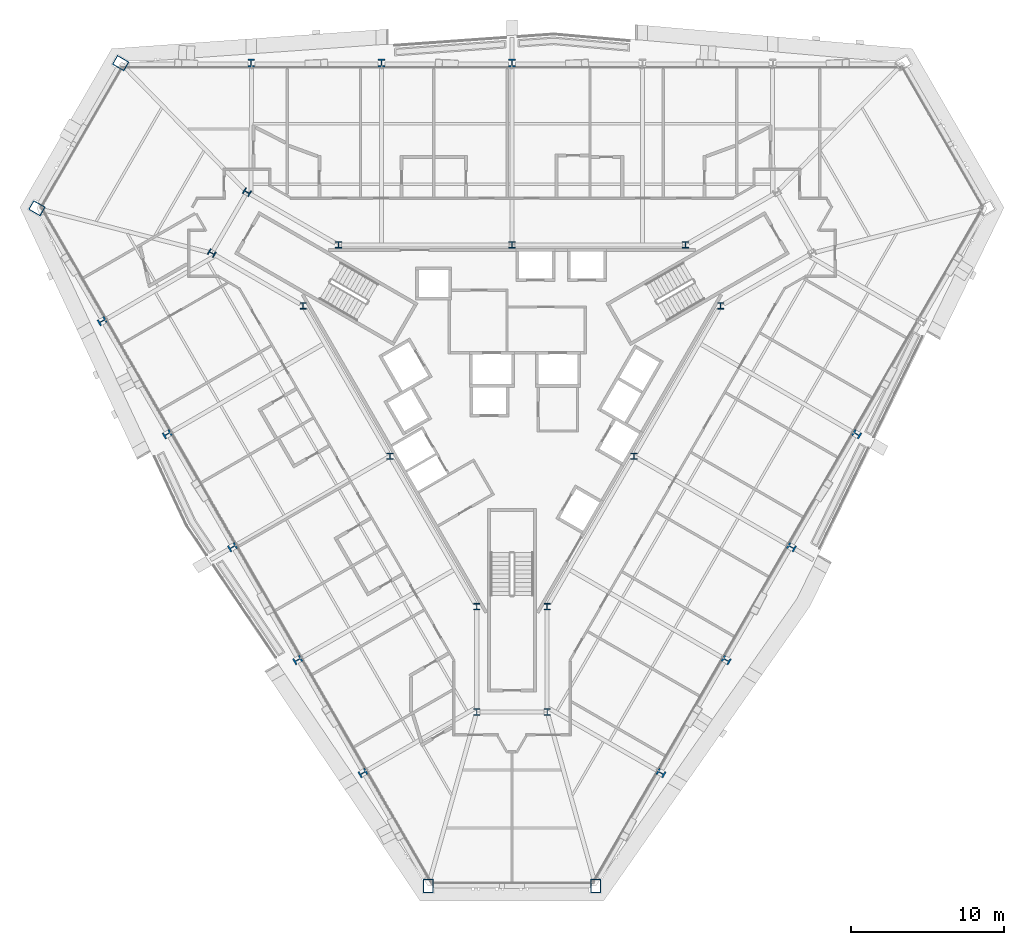
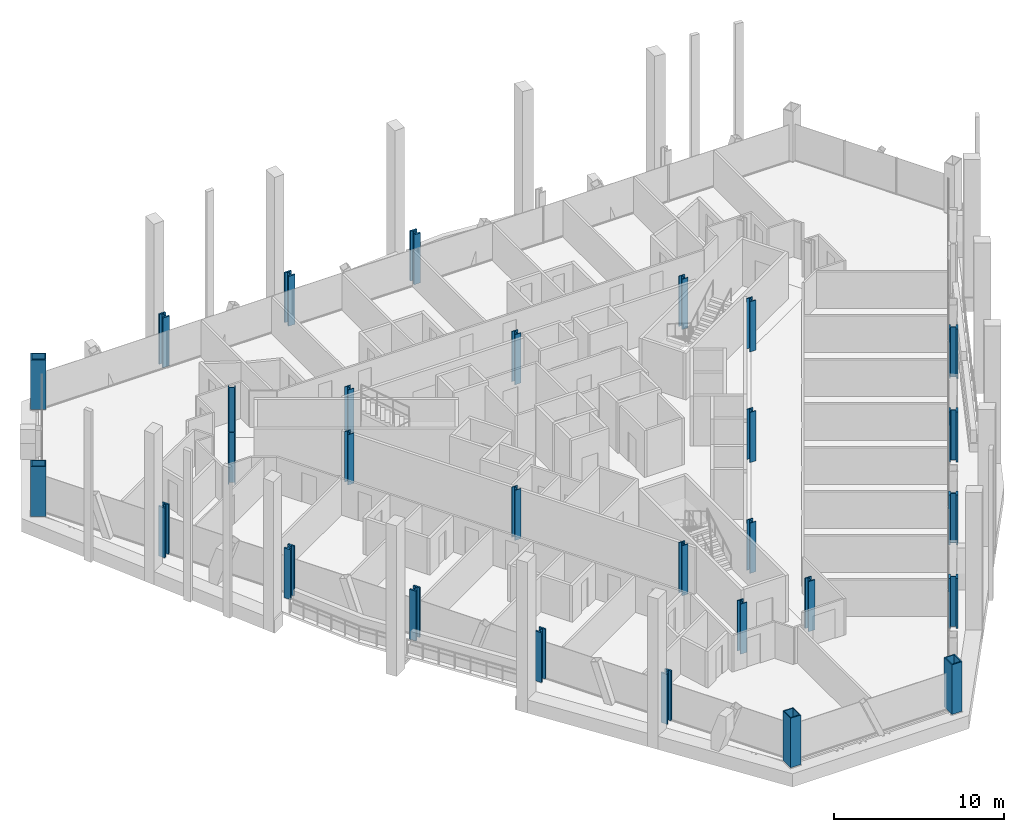
# One storey, part 1 of 18: 29 columns.
"""IFC4 building model written with IfcOpenShell, lengths in metres."""

from ifc_helpers import new_model, si_unit, direction, frame, origin, origin_2d, place, context, subcontext, project, spatial, hollow_rectangle, i_section, extrude, material, material_profile, profile_set, type_object, element, save


model = new_model("IFC4")

# Units and contexts
model_context = context("Model", 3, precision=1e-05, world=origin(), true_north=direction((0.0, 1.0)))
body_context = subcontext(model_context, "Body", "Model", "MODEL_VIEW")
ifc_project = project(units=[si_unit("LENGTHUNIT", "METRE"), si_unit("AREAUNIT", "SQUARE_METRE"), si_unit("VOLUMEUNIT", "CUBIC_METRE"), si_unit("PLANEANGLEUNIT", "RADIAN"), si_unit("MASSUNIT", "GRAM", prefix="KILO")], contexts=[model_context])

# Site, building, storey
site_placement = place(None, origin())
site = spatial("IfcSite", under=ifc_project, at=site_placement, CompositionType="ELEMENT")
building_placement = place(site_placement, origin())
building = spatial("IfcBuilding", under=site, at=building_placement, Name="Verrane Prism Tower", CompositionType="ELEMENT")
storey_placement = place(building_placement, frame((0.0, 0.0, 47.60009765625)))
storey = spatial("IfcBuildingStorey", under=building, at=storey_placement, Name="L09", CompositionType="ELEMENT", Elevation=47.60009765625)

# Columns
ifc_material_1 = material(Name="Steel A992", Category="steel")
ifc_material_profile_1 = material_profile(ifc_material_1, i_section(OverallWidth=0.419189453125, OverallDepth=0.45458984375, WebThickness=0.042236328125, FlangeThickness=0.067626953125, FilletRadius=0.01513671875, at=origin_2d()), Name="W14x370")
ifc_profile_set_1 = profile_set([ifc_material_profile_1], Name="Steel A992")
column_type_1 = type_object("IfcColumnType", Name="Core corner column W14x370", PredefinedType="COLUMN", material=ifc_profile_set_1)
for number, where, z_axis, x_axis, name in (
    (1, (-17.300048828125, 12.639892578125, 0.0), (0.0, 0.0, 1.0), (0.5, 0.866025403784, 0.0), "Core corner column CK-NWm L09"),
    (2, (-19.60009765625, 8.659912109375, 0.0), (0.0, 0.0, 1.0), (0.5, 0.866025403784, 0.0), "Core corner column CK-NWp L09"),
    (3, (-2.300048828125, -21.300048828125, 0.0), (0.0, 0.0, 1.0), (-1.0, 0.0, 0.0), "Core corner column CK-Sm L09"),
    (4, (2.300048828125, -21.300048828125, 0.0), (0.0, 0.0, 1.0), (-1.0, 0.0, 0.0), "Core corner column CK-Sp L09"),
):
    element("IfcColumn", number, at=place(storey_placement, frame(where, z_axis=z_axis, x_axis=x_axis)), inside=storey, type_object=column_type_1, Name=name, PredefinedType="COLUMN", context=body_context, shape_type="SweptSolid", body=[
        extrude(i_section(OverallWidth=0.419189453125, OverallDepth=0.45458984375, WebThickness=0.042236328125, FlangeThickness=0.067626953125, FilletRadius=0.01513671875, at=origin_2d()), origin(), (0.0, 0.0, 1.0), 3.599853515625),
    ])
ifc_material_2 = material(Name="Steel A992", Category="steel")
ifc_material_profile_2 = material_profile(ifc_material_2, i_section(OverallWidth=0.406494140625, OverallDepth=0.41650390625, WebThickness=0.030029296875, FlangeThickness=0.048095703125, FilletRadius=0.01513671875, at=origin_2d()), Name="W14x257")
ifc_profile_set_2 = profile_set([ifc_material_profile_2], Name="Steel A992")
column_type_2 = type_object("IfcColumnType", Name="Core side column W14x257", PredefinedType="COLUMN", material=ifc_profile_set_2)
for number, where, z_axis, x_axis, name in (
    (5, (13.6298828125, 5.219970703125, 0.0), (0.0, 0.0, 1.0), (1.0, 0.0, 0.0), "Core side column CC-NEm L09"),
    (6, (11.330078125, 9.199951171875, 0.0), (0.0, 0.0, 1.0), (1.0, 0.0, 0.0), "Core side column CC-NEp L09"),
    (7, (0.0, 9.199951171875, 0.0), (0.0, 0.0, 1.0), (1.0, 0.0, 0.0), "Core side column CC-N0 L09"),
    (8, (-11.330078125, 9.199951171875, 0.0), (0.0, 0.0, 1.0), (1.0, 0.0, 0.0), "Core side column CC-NWm L09"),
    (9, (-13.6298828125, 5.219970703125, 0.0), (0.0, 0.0, 1.0), (1.0, 0.0, 0.0), "Core side column CC-NWp L09"),
    (10, (-7.969970703125, -4.60009765625, 0.0), (0.0, 0.0, 1.0), (1.0, 0.0, 0.0), "Core side column CC-SW0 L09"),
    (11, (-2.300048828125, -14.419921875, 0.0), (0.0, 0.0, 1.0), (1.0, 0.0, 0.0), "Core side column CC-Sm L09"),
    (12, (2.300048828125, -14.419921875, 0.0), (0.0, 0.0, 1.0), (1.0, 0.0, 0.0), "Core side column CC-Sp L09"),
    (13, (7.969970703125, -4.60009765625, 0.0), (0.0, 0.0, 1.0), (1.0, 0.0, 0.0), "Core side column CC-SE0 L09"),
):
    element("IfcColumn", number, at=place(storey_placement, frame(where, z_axis=z_axis, x_axis=x_axis)), inside=storey, type_object=column_type_2, Name=name, PredefinedType="COLUMN", context=body_context, shape_type="SweptSolid", body=[
        extrude(i_section(OverallWidth=0.406494140625, OverallDepth=0.41650390625, WebThickness=0.030029296875, FlangeThickness=0.048095703125, FilletRadius=0.01513671875, at=origin_2d()), origin(), (0.0, 0.0, 1.0), 3.599853515625),
    ])
ifc_material_3 = material(Name="Steel A572 Grade 50", Category="steel")
ifc_material_profile_3 = material_profile(ifc_material_3, hollow_rectangle(XDim=0.699951171875, YDim=0.89990234375, WallThickness=0.06494140625, at=origin_2d()), Name="BOX 900x700x65")
ifc_profile_set_3 = profile_set([ifc_material_profile_3], Name="Steel A572 Grade 50")
column_type_3 = type_object("IfcColumnType", Name="Megacolumn BOX 900x700x65", PredefinedType="COLUMN", material=ifc_profile_set_3)
for number, where, z_axis, x_axis, name in (
    (14, (-25.550048828125, 21.070068359375, 0.039794921875), (0.0, 0.0, 1.0), (0.5, 0.866025403784, 0.0), "Megacolumn MC-NW.a L09"),
    (15, (-31.02001953125, 11.590087890625, 0.039794921875), (0.0, 0.0, 1.0), (0.5, 0.866025403784, 0.0), "Megacolumn MC-NW.b L09"),
    (16, (-5.469970703125, -32.659912109375, 0.039794921875), (0.0, 0.0, 1.0), (-1.0, 0.0, 0.0), "Megacolumn MC-S.a L09"),
    (17, (5.469970703125, -32.659912109375, 0.039794921875), (0.0, 0.0, 1.0), (-1.0, 0.0, 0.0), "Megacolumn MC-S.b L09"),
):
    element("IfcColumn", number, at=place(storey_placement, frame(where, z_axis=z_axis, x_axis=x_axis)), inside=storey, type_object=column_type_3, Name=name, PredefinedType="COLUMN", context=body_context, shape_type="SweptSolid", body=[
        extrude(hollow_rectangle(XDim=0.699951171875, YDim=0.89990234375, WallThickness=0.06494140625, at=origin_2d()), origin(), (0.0, 0.0, 1.0), 3.56005859375),
    ])
ifc_material_4 = material(Name="Steel A992", Category="steel")
ifc_material_profile_4 = material_profile(ifc_material_4, i_section(OverallWidth=0.44189453125, OverallDepth=0.53076171875, WebThickness=0.06591796875, FlangeThickness=0.105712890625, FilletRadius=0.01513671875, at=origin_2d()), Name="W14x605")
ifc_profile_set_4 = profile_set([ifc_material_profile_4], Name="Steel A992")
column_type_4 = type_object("IfcColumnType", Name="Perimeter column W14x605", PredefinedType="COLUMN", material=ifc_profile_set_4)
for number, where, z_axis, x_axis, name in (
    (18, (0.0, 21.070068359375, 0.02490234375), (0.0, 0.0, 1.0), (1.0, 0.0, 0.0), "Perimeter column PC-N3 L09"),
    (19, (-8.52001953125, 21.070068359375, 0.02490234375), (0.0, 0.0, 1.0), (1.0, 0.0, 0.0), "Perimeter column PC-N4 L09"),
    (20, (-17.030029296875, 21.070068359375, 0.02490234375), (0.0, 0.0, 1.0), (1.0, 0.0, 0.0), "Perimeter column PC-N5 L09"),
    (21, (-26.760009765625, 4.219970703125, 0.02490234375), (0.0, 0.0, 1.0), (-0.5, 0.866025403784, 0.0), "Perimeter column PC-SW1 L09"),
    (22, (-22.510009765625, -3.159912109375, 0.02490234375), (0.0, 0.0, 1.0), (-0.5, 0.866025403784, 0.0), "Perimeter column PC-SW2 L09"),
    (23, (-18.25, -10.5400390625, 0.02490234375), (0.0, 0.0, 1.0), (-0.5, 0.866025403784, 0.0), "Perimeter column PC-SW3 L09"),
    (24, (-13.989990234375, -17.909912109375, 0.02490234375), (0.0, 0.0, 1.0), (-0.5, 0.866025403784, 0.0), "Perimeter column PC-SW4 L09"),
    (25, (-9.72998046875, -25.2900390625, 0.02490234375), (0.0, 0.0, 1.0), (-0.5, 0.866025403784, 0.0), "Perimeter column PC-SW5 L09"),
    (26, (9.72998046875, -25.2900390625, 0.02490234375), (0.0, 0.0, 1.0), (-0.5, -0.866025403784, 0.0), "Perimeter column PC-SE1 L09"),
    (27, (13.989990234375, -17.909912109375, 0.02490234375), (0.0, 0.0, 1.0), (-0.5, -0.866025403784, 0.0), "Perimeter column PC-SE2 L09"),
    (28, (18.25, -10.5400390625, 0.02490234375), (0.0, 0.0, 1.0), (-0.5, -0.866025403784, 0.0), "Perimeter column PC-SE3 L09"),
    (29, (22.510009765625, -3.159912109375, 0.02490234375), (0.0, 0.0, 1.0), (-0.5, -0.866025403784, 0.0), "Perimeter column PC-SE4 L09"),
):
    element("IfcColumn", number, at=place(storey_placement, frame(where, z_axis=z_axis, x_axis=x_axis)), inside=storey, type_object=column_type_4, Name=name, PredefinedType="COLUMN", context=body_context, shape_type="SweptSolid", body=[
        extrude(i_section(OverallWidth=0.44189453125, OverallDepth=0.53076171875, WebThickness=0.06591796875, FlangeThickness=0.105712890625, FilletRadius=0.01513671875, at=origin_2d()), origin(), (0.0, 0.0, 1.0), 3.574951171875),
    ])

save(model, "model.ifc")
